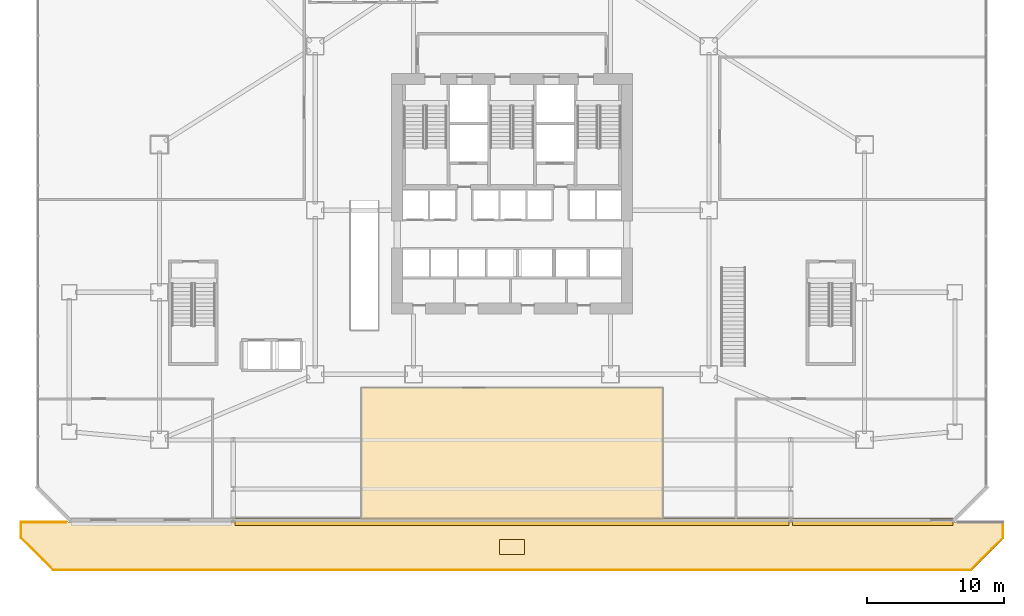
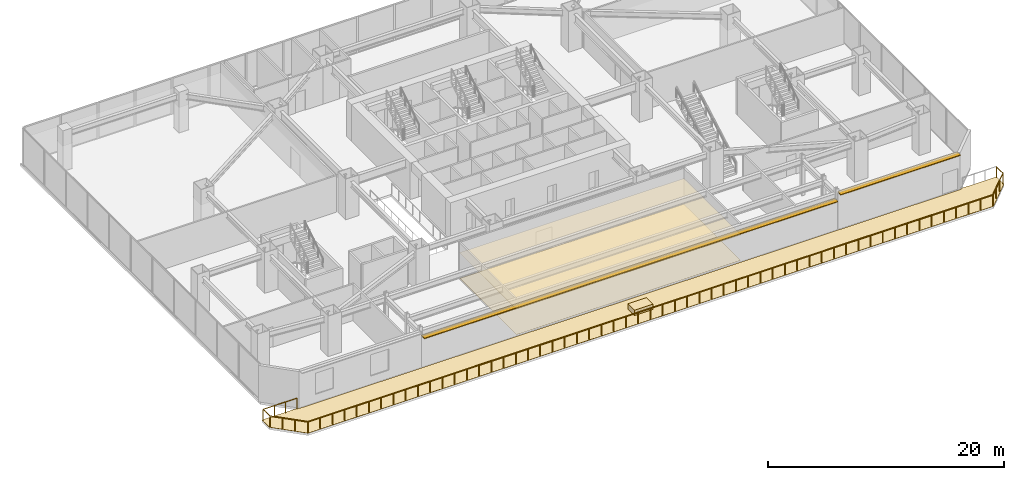
# One storey, part 28 of 32: 4 coverings, 2 shading devices, 1 railing.
"""IFC4 building model written with IfcOpenShell, lengths in metres."""

import ifcopenshell
import ifcopenshell.guid

model = None  # the IFC model being written
_history = None  # IfcOwnerHistory: only IFC2X3 demands one
_inside = {}  # id of a spatial element -> (the spatial element, [elements in it])
_under = {}  # id of a project, library or spatial element -> (it, [spatial elements below it])
_declared = {}  # id of a project -> (the project, [libraries it declares])
_typed = {}  # id of a type object -> (the type object, [elements of that type])
_made_of = {}  # id of a material, layer set ... -> (it, [elements and type objects made of it])


def new_model(schema):
    """Start an empty IFC model of exactly this schema.

    Asked for "IFC4X3", IfcOpenShell would pick the latest addendum, in which some entities
    have other attributes; the version numbers below select the first issue.
    IFC2X3 requires an IfcOwnerHistory on every rooted entity: one is made here for all.
    """
    global model, _history
    if schema == "IFC4X3":
        model = ifcopenshell.file(schema_version=(4, 3, 0, 0))
    else:
        model = ifcopenshell.file(schema=schema)
    _inside.clear()
    _under.clear()
    _declared.clear()
    _typed.clear()
    _made_of.clear()
    _history = None
    if model.schema == "IFC2X3":
        org = make("IfcOrganization", Name="unknown")
        user = make(
            "IfcPersonAndOrganization",
            ThePerson=make("IfcPerson", FamilyName="unknown"),
            TheOrganization=org,
        )
        app = make(
            "IfcApplication",
            ApplicationDeveloper=org,
            Version="unknown",
            ApplicationFullName="unknown",
            ApplicationIdentifier="unknown",
        )
        _history = make(
            "IfcOwnerHistory",
            OwningUser=user,
            OwningApplication=app,
            ChangeAction="ADDED",
            CreationDate=0,
        )
    return model


def make(cls, **values):
    """One entity of the class cls with the attributes given. An attribute that is None is left unset."""
    return model.create_entity(
        cls, **{name: value for name, value in values.items() if value is not None}
    )


def rooted(cls, **values):
    """An entity with a GlobalId (a new one), such as an element, a storey or a relation."""
    return make(cls, GlobalId=ifcopenshell.guid.new(), OwnerHistory=_history, **values)


def si_unit(unit_type, name, prefix=None):
    """IfcSIUnit, for example si_unit("LENGTHUNIT", "METRE", prefix="MILLI")."""
    return make("IfcSIUnit", UnitType=unit_type, Prefix=prefix, Name=name)


def assignment(units):
    """IfcUnitAssignment: the units of a project."""
    return None if units is None else make("IfcUnitAssignment", Units=units)


def point(xyz):
    """IfcCartesianPoint."""
    return None if xyz is None else make("IfcCartesianPoint", Coordinates=xyz)


def direction(xyz):
    """IfcDirection."""
    return None if xyz is None else make("IfcDirection", DirectionRatios=xyz)


def frame(location, z_axis=None, x_axis=None):
    """IfcAxis2Placement3D, a coordinate frame: its origin and axes. An axis left out is left unset."""
    return make(
        "IfcAxis2Placement3D",
        Location=point(location),
        Axis=direction(z_axis),
        RefDirection=direction(x_axis),
    )


def frame_2d(location, x_axis=None):
    """IfcAxis2Placement2D, a coordinate frame in the plane: its origin and x axis."""
    return make(
        "IfcAxis2Placement2D", Location=point(location), RefDirection=direction(x_axis)
    )


def origin():
    """The frame at (0, 0, 0) with its axes left unset."""
    return frame((0.0, 0.0, 0.0))


def origin_2d():
    """The frame at (0, 0) in the plane with its x axis left unset."""
    return frame_2d((0.0, 0.0))


def place(relative_to, where):
    """IfcLocalPlacement: puts the frame where relative to a parent placement (None: the world)."""
    return make(
        "IfcLocalPlacement", PlacementRelTo=relative_to, RelativePlacement=where
    )


def context(
    kind, dimensions, precision=None, world=None, true_north=None, identifier=None
):
    """IfcGeometricRepresentationContext, for example the 3D "Model" context."""
    return make(
        "IfcGeometricRepresentationContext",
        ContextIdentifier=identifier,
        ContextType=kind,
        CoordinateSpaceDimension=dimensions,
        Precision=precision,
        WorldCoordinateSystem=world,
        TrueNorth=true_north,
    )


def subcontext(parent, identifier, kind, view, scale=None):
    """IfcGeometricRepresentationSubContext, for example "Body" below "Model"."""
    return make(
        "IfcGeometricRepresentationSubContext",
        ContextIdentifier=identifier,
        ContextType=kind,
        ParentContext=parent,
        TargetScale=scale,
        TargetView=view,
    )


def project(units=None, contexts=None):
    """IfcProject with its units and contexts."""
    return rooted(
        "IfcProject",
        Name="project",
        RepresentationContexts=contexts,
        UnitsInContext=assignment(units),
    )


def spatial(cls, under=None, at=None, **own):
    """A site, building, storey or space (cls), placed at a placement, below another one or the project."""
    s = rooted(cls, ObjectPlacement=at, **own)
    if under is not None:
        _under.setdefault(under.id(), (under, []))[1].append(s)
    return s


def polyline(points):
    """IfcPolyline through the points."""
    return make("IfcPolyline", Points=[point(p) for p in points])


def profile(cls, at=None, kind="AREA", **sizes):
    """A parametric profile (cls). Its sizes go by their IFC names, for example OverallWidth=200.0."""
    return make(cls, ProfileType=kind, Position=at, **sizes)


def rectangle(**sizes):
    """IfcRectangleProfileDef."""
    return profile("IfcRectangleProfileDef", **sizes)


def circle(**sizes):
    """IfcCircleProfileDef."""
    return profile("IfcCircleProfileDef", **sizes)


def outline(outer, holes=None, kind="AREA"):
    """IfcArbitraryClosedProfileDef: a profile drawn as a closed curve; with holes, ...WithVoids."""
    if holes is None:
        return make("IfcArbitraryClosedProfileDef", ProfileType=kind, OuterCurve=outer)
    return make(
        "IfcArbitraryProfileDefWithVoids",
        ProfileType=kind,
        OuterCurve=outer,
        InnerCurves=holes,
    )


def extrude(swept, where, along, depth):
    """IfcExtrudedAreaSolid: the profile swept, set in the frame where, extruded along a direction by depth."""
    return make(
        "IfcExtrudedAreaSolid",
        SweptArea=swept,
        Position=where,
        ExtrudedDirection=direction(along),
        Depth=depth,
    )


def shape(context_of_items, identifier, shape_type, items):
    """IfcShapeRepresentation: the items that make up one representation, for example the "Body"."""
    return make(
        "IfcShapeRepresentation",
        ContextOfItems=context_of_items,
        RepresentationIdentifier=identifier,
        RepresentationType=shape_type,
        Items=items,
    )


def material(Name=None, Category=None):
    """IfcMaterial."""
    return make("IfcMaterial", Name=Name, Category=Category)


def layer(
    of_material, thickness, ventilated=None, Name=None, Category=None, Priority=None
):
    """IfcMaterialLayer: one layer of a wall or slab, of a material (None: an air gap)."""
    return make(
        "IfcMaterialLayer",
        Material=of_material,
        LayerThickness=thickness,
        IsVentilated=ventilated,
        Name=Name,
        Category=Category,
        Priority=Priority,
    )


def layer_set(layers, Name=None):
    """IfcMaterialLayerSet."""
    return make("IfcMaterialLayerSet", MaterialLayers=layers, LayerSetName=Name)


def made_of(thing, what):
    """Note that an element or type object is made of a material, layer set ...; save() writes the relation."""
    if what is not None:
        _made_of.setdefault(what.id(), (what, []))[1].append(thing)
    return thing


def type_object(cls, material=None, **own):
    """A type object (cls), such as IfcWallType, which elements share."""
    return made_of(rooted(cls, **own), material)


def element(
    cls,
    number,
    at=None,
    inside=None,
    cuts=None,
    type_object=None,
    material=None,
    context=None,
    identifier="Body",
    shape_type=None,
    held_by="IfcProductDefinitionShape",
    body=None,
    shapes=None,
    **own,
):
    """One element of the class cls, such as IfcWall. Its Tag is "e" and its number.

    at: its placement. inside: the storey or other place that contains it. cuts: it is an
    opening in that element (IfcRelVoidsElement). A single representation is given by context,
    identifier, shape_type and body (its items); several are given by shapes. held_by: the class
    of the entity that holds the representations. save() writes the other relations.
    """
    e = rooted(cls, Tag="e%d" % number, ObjectPlacement=at, **own)
    if body is not None:
        shapes = [shape(context, identifier, shape_type, body)]
    if shapes is not None:
        e.Representation = make(held_by, Representations=shapes)
    if inside is not None:
        _inside.setdefault(inside.id(), (inside, []))[1].append(e)
    if cuts is not None:
        rooted(
            "IfcRelVoidsElement", RelatingBuildingElement=cuts, RelatedOpeningElement=e
        )
    if type_object is not None:
        _typed.setdefault(type_object.id(), (type_object, []))[1].append(e)
    return made_of(e, material)


def aggregate(whole, parts):
    """IfcRelAggregates: a whole, such as a stair, and the parts it consists of."""
    return rooted("IfcRelAggregates", RelatingObject=whole, RelatedObjects=parts)


def save(model, path):
    """Write the relations noted so far, then the file.

    IfcRelAggregates (storeys below a building ...), IfcRelContainedInSpatialStructure (elements
    in a storey), IfcRelDefinesByType, IfcRelAssociatesMaterial and IfcRelDeclares: one each for
    every whole, place, type object, material and project.
    """
    for whole, parts in _under.values():
        aggregate(whole, parts)
    for where, things in _inside.values():
        rooted(
            "IfcRelContainedInSpatialStructure",
            RelatedElements=things,
            RelatingStructure=where,
        )
    for kind, things in _typed.values():
        rooted("IfcRelDefinesByType", RelatedObjects=things, RelatingType=kind)
    for what, things in _made_of.values():
        rooted("IfcRelAssociatesMaterial", RelatedObjects=things, RelatingMaterial=what)
    for by, libraries in _declared.values():
        rooted("IfcRelDeclares", RelatingContext=by, RelatedDefinitions=libraries)
    model.write(path)


model = new_model("IFC4")

# Units and contexts
model_context = context("Model", 3, precision=1e-05, world=origin(), true_north=direction((0.0, 1.0)))
body_context = subcontext(model_context, "Body", "Model", "MODEL_VIEW")
ifc_project = project(units=[si_unit("LENGTHUNIT", "METRE"), si_unit("AREAUNIT", "SQUARE_METRE"), si_unit("VOLUMEUNIT", "CUBIC_METRE"), si_unit("PLANEANGLEUNIT", "RADIAN"), si_unit("MASSUNIT", "GRAM", prefix="KILO")], contexts=[model_context])

# Site, building, storey
site_placement = place(None, origin())
site = spatial("IfcSite", under=ifc_project, at=site_placement, CompositionType="ELEMENT")
building_placement = place(site_placement, origin())
building = spatial("IfcBuilding", under=site, at=building_placement, Name="Haolan Belvedere Tower", CompositionType="ELEMENT")
storey_placement = place(building_placement, frame((0.0, 0.0, 15.60009765625)))
storey = spatial("IfcBuildingStorey", under=building, at=storey_placement, Name="L03", CompositionType="ELEMENT", Elevation=15.60009765625)

# Coverings
ifc_material_1 = material(Name="Acoustic mineral-fibre suspended ceiling system", Category="masonry")
ifc_layer_1 = layer(ifc_material_1, 0.02490234375, Name="Acoustic mineral-fibre suspended ceiling system")
ifc_layer_set_1 = layer_set([ifc_layer_1], Name="Acoustic mineral-fibre suspended ceiling system")
covering_type_1 = type_object("IfcCoveringType", Name="COV-CEIL-AC25", PredefinedType="CEILING", material=ifc_layer_set_1)
covering_1_placement = place(storey_placement, frame((0.0, 0.0, 2.64990234375)))
element("IfcCovering", 1, at=covering_1_placement, inside=storey, type_object=covering_type_1, Name="L03 suspended acoustic ceiling L03-CFP.1", PredefinedType="CEILING", context=body_context, shape_type="SweptSolid", body=[
    extrude(outline(polyline([(49.412109375, 10.93798828125), (49.412109375, 20.612060546875), (27.387939453125, 20.612060546875), (27.387939453125, 10.93798828125), (49.412109375, 10.93798828125)])), origin(), (0.0, 0.0, 1.0), 0.02490234375),
])
ifc_material_2 = material(Name="Honed terrazzo and natural granite stone flooring", Category="masonry")
ifc_layer_2 = layer(ifc_material_2, 0.014892578125, Name="Honed terrazzo and natural granite stone flooring")
ifc_layer_set_2 = layer_set([ifc_layer_2], Name="Honed terrazzo and natural granite stone flooring")
covering_type_2 = type_object("IfcCoveringType", Name="COV-FLR-STN30", PredefinedType="FLOORING", material=ifc_layer_set_2)
covering_2_placement = place(storey_placement, origin())
element("IfcCovering", 2, at=covering_2_placement, inside=storey, type_object=covering_type_2, Name="L03 polished stone floor finish L03-CFP.1", PredefinedType="FLOORING", context=body_context, shape_type="SweptSolid", body=[
    extrude(outline(polyline([(49.386962890625, 20.5869140625), (27.4130859375, 20.5869140625), (27.4130859375, 10.962890625), (49.386962890625, 10.962890625), (49.386962890625, 20.5869140625)])), origin(), (0.0, 0.0, 1.0), 0.014892578125),
])
ifc_material_3 = material(Name="Engineered lightweight planted garden soil substrate", Category="masonry")
ifc_layer_3 = layer(ifc_material_3, 0.550048828125, Name="Engineered lightweight planted garden soil substrate")
ifc_layer_set_3 = layer_set([ifc_layer_3], Name="Engineered lightweight planted garden soil substrate")
covering_type_3 = type_object("IfcCoveringType", Name="COV-PLANT-550", PredefinedType="MEMBRANE", material=ifc_layer_set_3)
covering_3_placement = place(storey_placement, frame((38.39990234375, 8.97509765625, 0.0), z_axis=(0.0, 0.0, 1.0), x_axis=(1.0, 0.0, 0.0)))
element("IfcCovering", 3, at=covering_3_placement, inside=storey, type_object=covering_type_3, Name="L03 cascade garden terrace PLANTER bed 1", PredefinedType="MEMBRANE", context=body_context, shape_type="SweptSolid", body=[
    extrude(rectangle(XDim=1.800048828125, YDim=1.10009765625, at=origin_2d()), origin(), (0.0, 0.0, 1.0), 0.550048828125),
])
ifc_material_4 = material(Name="Elastomeric waterproof roofing membrane and stone pavers", Category="masonry")
ifc_layer_4 = layer(ifc_material_4, 0.02001953125, Name="Elastomeric waterproof roofing membrane and stone pavers")
ifc_layer_set_4 = layer_set([ifc_layer_4], Name="Elastomeric waterproof roofing membrane and stone pavers")
covering_type_4 = type_object("IfcCoveringType", Name="COV-ROOF-20", PredefinedType="ROOFING", material=ifc_layer_set_4)
covering_4_placement = place(storey_placement, frame((0.0, 0.0, -0.02001953125)))
element("IfcCovering", 4, at=covering_4_placement, inside=storey, type_object=covering_type_4, Name="L03 garden terrace waterproof roofing paver 1", PredefinedType="ROOFING", context=body_context, shape_type="SweptSolid", body=[
    extrude(outline(polyline([(74.39990234375, 10.85009765625), (70.9208984375, 10.85009765625), (70.836669921875, 10.765869140625), (70.834228515625, 10.763671875), (70.82958984375, 10.760009765625), (70.82568359375, 10.757080078125), (70.8212890625, 10.7548828125), (70.81689453125, 10.7529296875), (70.81201171875, 10.751708984375), (70.807373046875, 10.750732421875), (70.801513671875, 10.75), (70.798095703125, 10.75), (6.001708984375, 10.75), (5.99853515625, 10.75), (5.99267578125, 10.750732421875), (5.98779296875, 10.751708984375), (5.983154296875, 10.7529296875), (5.978759765625, 10.7548828125), (5.974365234375, 10.757080078125), (5.97021484375, 10.760009765625), (5.9658203125, 10.763671875), (5.96337890625, 10.765869140625), (5.879150390625, 10.85009765625), (2.39990234375, 10.85009765625), (2.39990234375, 9.60009765625), (4.800048828125, 7.199951171875), (72.0, 7.199951171875), (74.39990234375, 9.60009765625), (74.39990234375, 10.85009765625)])), origin(), (0.0, 0.0, 1.0), 0.02001953125),
])

# Railing
ifc_material_5 = material(Name="Anodised aluminium and laminated glass balustrade", Category="aluminium")
railing_type = type_object("IfcRailingType", Name="RL-TER-BAL-1150", PredefinedType="BALUSTRADE", material=ifc_material_5)
railing_placement = place(storey_placement, frame((74.320068359375, 10.77001953125, 0.0)))
element("IfcRailing", 5, at=railing_placement, inside=storey, type_object=railing_type, Name="L03 outdoor perimeter balustrade TERR-L03-1-1", PredefinedType="BALUSTRADE", context=body_context, shape_type="SweptSolid", body=[
    extrude(circle(Radius=0.02392578125, at=origin_2d()), frame((0.0, 0.0, 1.1259765625), z_axis=(0.0, -1.0, 0.0), x_axis=(1.0, 0.0, 0.0)), (0.0, 0.0, 1.0), 1.136962890625),
    extrude(circle(Radius=0.02392578125, at=origin_2d()), frame((0.0, -1.136962890625, 1.1259765625), z_axis=(-0.707143461606, -0.707070098865, 0.0), x_axis=(0.707070098865, -0.707143461606, 0.0)), (0.0, 0.0, 1.0), 3.327880859375),
    extrude(circle(Radius=0.02392578125, at=origin_2d()), frame((-2.353271484375, -3.489990234375, 1.1259765625), z_axis=(-1.0, 0.0, 0.0), x_axis=(0.0, -1.0, 0.0)), (0.0, 0.0, 1.0), 67.1337890625),
    extrude(circle(Radius=0.02392578125, at=origin_2d()), frame((-69.487060546875, -3.489990234375, 1.1259765625), z_axis=(-0.707106781187, 0.707106781187, 0.0), x_axis=(-0.707106781187, -0.707106781187, 0.0)), (0.0, 0.0, 1.0), 3.32763671875),
    extrude(circle(Radius=0.02392578125, at=origin_2d()), frame((-71.840087890625, -1.136962890625, 1.1259765625), z_axis=(0.0, 1.0, 0.0), x_axis=(-1.0, 0.0, 0.0)), (0.0, 0.0, 1.0), 1.136962890625),
    extrude(circle(Radius=0.02392578125, at=origin_2d()), frame((-71.840087890625, 0.0, 1.1259765625), z_axis=(1.0, 0.0, 0.0), x_axis=(0.0, 1.0, 0.0)), (0.0, 0.0, 1.0), 3.29541015625),
    extrude(circle(Radius=0.02099609375, at=origin_2d()), origin(), (0.0, 0.0, 1.0), 1.101806640625),
    extrude(circle(Radius=0.02099609375, at=origin_2d()), frame((0.0, -1.136962890625, 0.0)), (0.0, 0.0, 1.0), 1.101806640625),
    extrude(circle(Radius=0.02099609375, at=origin_2d()), frame((-0.784423828125, -1.92138671875, 0.0)), (0.0, 0.0, 1.0), 1.101806640625),
    extrude(circle(Radius=0.02099609375, at=origin_2d()), frame((-1.56884765625, -2.70556640625, 0.0)), (0.0, 0.0, 1.0), 1.101806640625),
    extrude(circle(Radius=0.02099609375, at=origin_2d()), frame((-2.353271484375, -3.489990234375, 0.0)), (0.0, 0.0, 1.0), 1.101806640625),
    extrude(circle(Radius=0.02099609375, at=origin_2d()), frame((-3.552001953125, -3.489990234375, 0.0)), (0.0, 0.0, 1.0), 1.101806640625),
    extrude(circle(Radius=0.02099609375, at=origin_2d()), frame((-4.7509765625, -3.489990234375, 0.0)), (0.0, 0.0, 1.0), 1.101806640625),
    extrude(circle(Radius=0.02099609375, at=origin_2d()), frame((-5.94970703125, -3.489990234375, 0.0)), (0.0, 0.0, 1.0), 1.101806640625),
    extrude(circle(Radius=0.02099609375, at=origin_2d()), frame((-7.1484375, -3.489990234375, 0.0)), (0.0, 0.0, 1.0), 1.101806640625),
    extrude(circle(Radius=0.02099609375, at=origin_2d()), frame((-8.347412109375, -3.489990234375, 0.0)), (0.0, 0.0, 1.0), 1.101806640625),
    extrude(circle(Radius=0.02099609375, at=origin_2d()), frame((-9.546142578125, -3.489990234375, 0.0)), (0.0, 0.0, 1.0), 1.101806640625),
    extrude(circle(Radius=0.02099609375, at=origin_2d()), frame((-10.7451171875, -3.489990234375, 0.0)), (0.0, 0.0, 1.0), 1.101806640625),
    extrude(circle(Radius=0.02099609375, at=origin_2d()), frame((-11.94384765625, -3.489990234375, 0.0)), (0.0, 0.0, 1.0), 1.101806640625),
    extrude(circle(Radius=0.02099609375, at=origin_2d()), frame((-13.142578125, -3.489990234375, 0.0)), (0.0, 0.0, 1.0), 1.101806640625),
    extrude(circle(Radius=0.02099609375, at=origin_2d()), frame((-14.341552734375, -3.489990234375, 0.0)), (0.0, 0.0, 1.0), 1.101806640625),
    extrude(circle(Radius=0.02099609375, at=origin_2d()), frame((-15.540283203125, -3.489990234375, 0.0)), (0.0, 0.0, 1.0), 1.101806640625),
    extrude(circle(Radius=0.02099609375, at=origin_2d()), frame((-16.739013671875, -3.489990234375, 0.0)), (0.0, 0.0, 1.0), 1.101806640625),
    extrude(circle(Radius=0.02099609375, at=origin_2d()), frame((-17.93798828125, -3.489990234375, 0.0)), (0.0, 0.0, 1.0), 1.101806640625),
    extrude(circle(Radius=0.02099609375, at=origin_2d()), frame((-19.13671875, -3.489990234375, 0.0)), (0.0, 0.0, 1.0), 1.101806640625),
    extrude(circle(Radius=0.02099609375, at=origin_2d()), frame((-20.33544921875, -3.489990234375, 0.0)), (0.0, 0.0, 1.0), 1.101806640625),
    extrude(circle(Radius=0.02099609375, at=origin_2d()), frame((-21.534423828125, -3.489990234375, 0.0)), (0.0, 0.0, 1.0), 1.101806640625),
    extrude(circle(Radius=0.02099609375, at=origin_2d()), frame((-22.733154296875, -3.489990234375, 0.0)), (0.0, 0.0, 1.0), 1.101806640625),
    extrude(circle(Radius=0.02099609375, at=origin_2d()), frame((-23.931884765625, -3.489990234375, 0.0)), (0.0, 0.0, 1.0), 1.101806640625),
    extrude(circle(Radius=0.02099609375, at=origin_2d()), frame((-25.130859375, -3.489990234375, 0.0)), (0.0, 0.0, 1.0), 1.101806640625),
    extrude(circle(Radius=0.02099609375, at=origin_2d()), frame((-26.32958984375, -3.489990234375, 0.0)), (0.0, 0.0, 1.0), 1.101806640625),
    extrude(circle(Radius=0.02099609375, at=origin_2d()), frame((-27.5283203125, -3.489990234375, 0.0)), (0.0, 0.0, 1.0), 1.101806640625),
    extrude(circle(Radius=0.02099609375, at=origin_2d()), frame((-28.727294921875, -3.489990234375, 0.0)), (0.0, 0.0, 1.0), 1.101806640625),
    extrude(circle(Radius=0.02099609375, at=origin_2d()), frame((-29.926025390625, -3.489990234375, 0.0)), (0.0, 0.0, 1.0), 1.101806640625),
    extrude(circle(Radius=0.02099609375, at=origin_2d()), frame((-31.125, -3.489990234375, 0.0)), (0.0, 0.0, 1.0), 1.101806640625),
    extrude(circle(Radius=0.02099609375, at=origin_2d()), frame((-32.32373046875, -3.489990234375, 0.0)), (0.0, 0.0, 1.0), 1.101806640625),
    extrude(circle(Radius=0.02099609375, at=origin_2d()), frame((-33.5224609375, -3.489990234375, 0.0)), (0.0, 0.0, 1.0), 1.101806640625),
    extrude(circle(Radius=0.02099609375, at=origin_2d()), frame((-34.721435546875, -3.489990234375, 0.0)), (0.0, 0.0, 1.0), 1.101806640625),
    extrude(circle(Radius=0.02099609375, at=origin_2d()), frame((-35.920166015625, -3.489990234375, 0.0)), (0.0, 0.0, 1.0), 1.101806640625),
    extrude(circle(Radius=0.02099609375, at=origin_2d()), frame((-37.118896484375, -3.489990234375, 0.0)), (0.0, 0.0, 1.0), 1.101806640625),
    extrude(circle(Radius=0.02099609375, at=origin_2d()), frame((-38.31787109375, -3.489990234375, 0.0)), (0.0, 0.0, 1.0), 1.101806640625),
    extrude(circle(Radius=0.02099609375, at=origin_2d()), frame((-39.5166015625, -3.489990234375, 0.0)), (0.0, 0.0, 1.0), 1.101806640625),
    extrude(circle(Radius=0.02099609375, at=origin_2d()), frame((-40.71533203125, -3.489990234375, 0.0)), (0.0, 0.0, 1.0), 1.101806640625),
    extrude(circle(Radius=0.02099609375, at=origin_2d()), frame((-41.914306640625, -3.489990234375, 0.0)), (0.0, 0.0, 1.0), 1.101806640625),
    extrude(circle(Radius=0.02099609375, at=origin_2d()), frame((-43.113037109375, -3.489990234375, 0.0)), (0.0, 0.0, 1.0), 1.101806640625),
    extrude(circle(Radius=0.02099609375, at=origin_2d()), frame((-44.31201171875, -3.489990234375, 0.0)), (0.0, 0.0, 1.0), 1.101806640625),
    extrude(circle(Radius=0.02099609375, at=origin_2d()), frame((-45.5107421875, -3.489990234375, 0.0)), (0.0, 0.0, 1.0), 1.101806640625),
    extrude(circle(Radius=0.02099609375, at=origin_2d()), frame((-46.70947265625, -3.489990234375, 0.0)), (0.0, 0.0, 1.0), 1.101806640625),
    extrude(circle(Radius=0.02099609375, at=origin_2d()), frame((-47.908447265625, -3.489990234375, 0.0)), (0.0, 0.0, 1.0), 1.101806640625),
    extrude(circle(Radius=0.02099609375, at=origin_2d()), frame((-49.107177734375, -3.489990234375, 0.0)), (0.0, 0.0, 1.0), 1.101806640625),
    extrude(circle(Radius=0.02099609375, at=origin_2d()), frame((-50.305908203125, -3.489990234375, 0.0)), (0.0, 0.0, 1.0), 1.101806640625),
    extrude(circle(Radius=0.02099609375, at=origin_2d()), frame((-51.5048828125, -3.489990234375, 0.0)), (0.0, 0.0, 1.0), 1.101806640625),
    extrude(circle(Radius=0.02099609375, at=origin_2d()), frame((-52.70361328125, -3.489990234375, 0.0)), (0.0, 0.0, 1.0), 1.101806640625),
    extrude(circle(Radius=0.02099609375, at=origin_2d()), frame((-53.90234375, -3.489990234375, 0.0)), (0.0, 0.0, 1.0), 1.101806640625),
    extrude(circle(Radius=0.02099609375, at=origin_2d()), frame((-55.101318359375, -3.489990234375, 0.0)), (0.0, 0.0, 1.0), 1.101806640625),
    extrude(circle(Radius=0.02099609375, at=origin_2d()), frame((-56.300048828125, -3.489990234375, 0.0)), (0.0, 0.0, 1.0), 1.101806640625),
    extrude(circle(Radius=0.02099609375, at=origin_2d()), frame((-57.498779296875, -3.489990234375, 0.0)), (0.0, 0.0, 1.0), 1.101806640625),
    extrude(circle(Radius=0.02099609375, at=origin_2d()), frame((-58.69775390625, -3.489990234375, 0.0)), (0.0, 0.0, 1.0), 1.101806640625),
    extrude(circle(Radius=0.02099609375, at=origin_2d()), frame((-59.896484375, -3.489990234375, 0.0)), (0.0, 0.0, 1.0), 1.101806640625),
    extrude(circle(Radius=0.02099609375, at=origin_2d()), frame((-61.09521484375, -3.489990234375, 0.0)), (0.0, 0.0, 1.0), 1.101806640625),
    extrude(circle(Radius=0.02099609375, at=origin_2d()), frame((-62.294189453125, -3.489990234375, 0.0)), (0.0, 0.0, 1.0), 1.101806640625),
    extrude(circle(Radius=0.02099609375, at=origin_2d()), frame((-63.492919921875, -3.489990234375, 0.0)), (0.0, 0.0, 1.0), 1.101806640625),
    extrude(circle(Radius=0.02099609375, at=origin_2d()), frame((-64.69189453125, -3.489990234375, 0.0)), (0.0, 0.0, 1.0), 1.101806640625),
    extrude(circle(Radius=0.02099609375, at=origin_2d()), frame((-65.890625, -3.489990234375, 0.0)), (0.0, 0.0, 1.0), 1.101806640625),
    extrude(circle(Radius=0.02099609375, at=origin_2d()), frame((-67.08935546875, -3.489990234375, 0.0)), (0.0, 0.0, 1.0), 1.101806640625),
    extrude(circle(Radius=0.02099609375, at=origin_2d()), frame((-68.288330078125, -3.489990234375, 0.0)), (0.0, 0.0, 1.0), 1.101806640625),
    extrude(circle(Radius=0.02099609375, at=origin_2d()), frame((-69.487060546875, -3.489990234375, 0.0)), (0.0, 0.0, 1.0), 1.101806640625),
    extrude(circle(Radius=0.02099609375, at=origin_2d()), frame((-70.271484375, -2.70556640625, 0.0)), (0.0, 0.0, 1.0), 1.101806640625),
    extrude(circle(Radius=0.02099609375, at=origin_2d()), frame((-71.0556640625, -1.92138671875, 0.0)), (0.0, 0.0, 1.0), 1.101806640625),
    extrude(circle(Radius=0.02099609375, at=origin_2d()), frame((-71.840087890625, -1.136962890625, 0.0)), (0.0, 0.0, 1.0), 1.101806640625),
    extrude(circle(Radius=0.02099609375, at=origin_2d()), frame((-71.840087890625, 0.0, 0.0)), (0.0, 0.0, 1.0), 1.101806640625),
    extrude(circle(Radius=0.02099609375, at=origin_2d()), frame((-70.74169921875, 0.0, 0.0)), (0.0, 0.0, 1.0), 1.101806640625),
    extrude(circle(Radius=0.02099609375, at=origin_2d()), frame((-69.64306640625, 0.0, 0.0)), (0.0, 0.0, 1.0), 1.101806640625),
    extrude(circle(Radius=0.02099609375, at=origin_2d()), frame((-68.544677734375, 0.0, 0.0)), (0.0, 0.0, 1.0), 1.101806640625),
])

# Shading devices
ifc_material_6 = material(Name="Anodised champagne-silver aluminium 6063-T6", Category="aluminium")
ifc_layer_5 = layer(ifc_material_6, 0.080078125, Name="Anodised champagne-silver aluminium 6063-T6")
ifc_layer_set_5 = layer_set([ifc_layer_5], Name="Anodised champagne-silver aluminium 6063-T6")
shading_device_type = type_object("IfcShadingDeviceType", Name="SHD-SUN-550", PredefinedType="USERDEFINED", material=ifc_layer_set_5)
shading_device_1_placement = place(storey_placement, frame((38.39990234375, 10.7900390625, 3.076904296875), z_axis=(0.0, 0.0, 1.0), x_axis=(1.0, 0.0, 0.0)))
element("IfcShadingDevice", 6, at=shading_device_1_placement, inside=storey, type_object=shading_device_type, Name="L03 pale-metal horizontal SUNSHADE band 6.2", ObjectType="SUNSHADE", PredefinedType="USERDEFINED", context=body_context, shape_type="SweptSolid", body=[
    extrude(rectangle(XDim=40.552001953125, YDim=0.550048828125, at=origin_2d()), origin(), (0.0, 0.0, 1.0), 0.080078125),
])
shading_device_2_placement = place(storey_placement, frame((64.802490234375, 10.7900390625, 3.679931640625), z_axis=(0.0, 0.0, 1.0), x_axis=(1.0, 0.0, 0.0)))
element("IfcShadingDevice", 7, at=shading_device_2_placement, inside=storey, type_object=shading_device_type, Name="L03 pale-metal horizontal SUNSHADE band 6.3", ObjectType="SUNSHADE", PredefinedType="USERDEFINED", context=body_context, shape_type="SweptSolid", body=[
    extrude(rectangle(XDim=11.757080078125, YDim=0.550048828125, at=origin_2d()), origin(), (0.0, 0.0, 1.0), 0.080078125),
])

save(model, "model.ifc")
